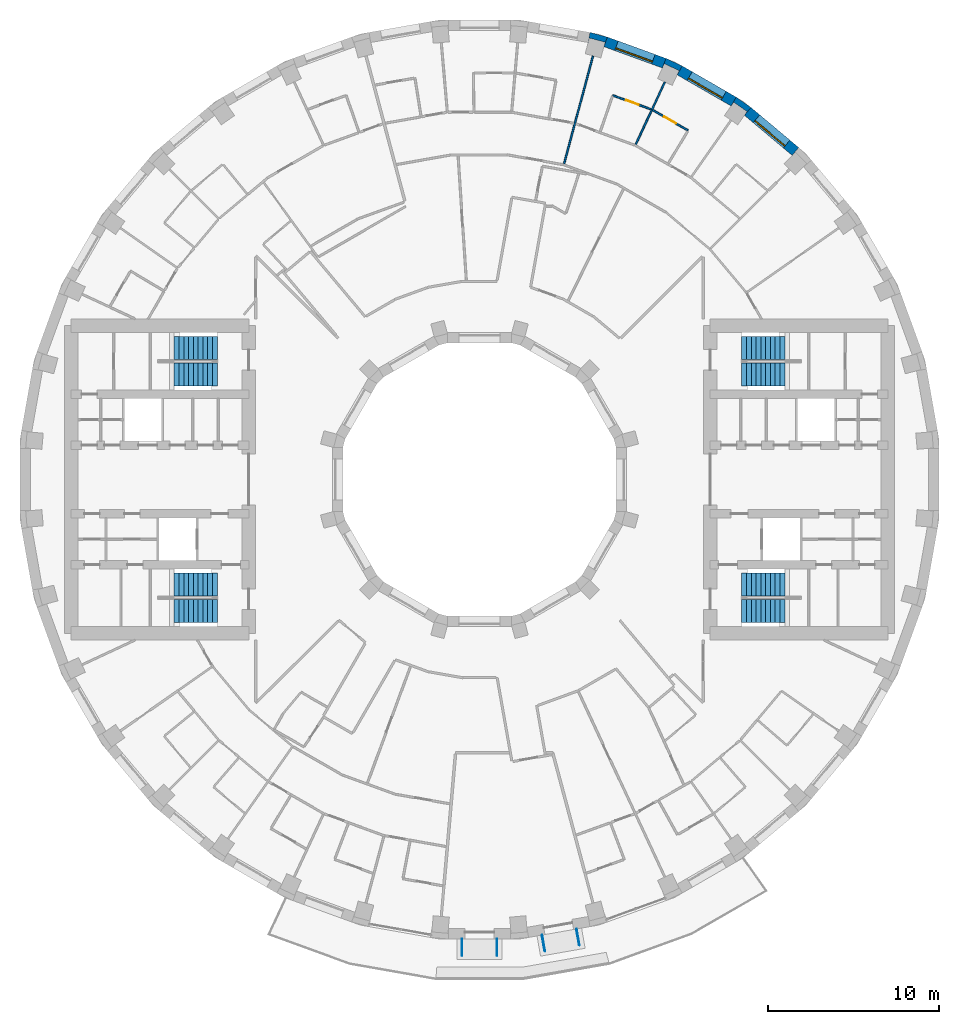
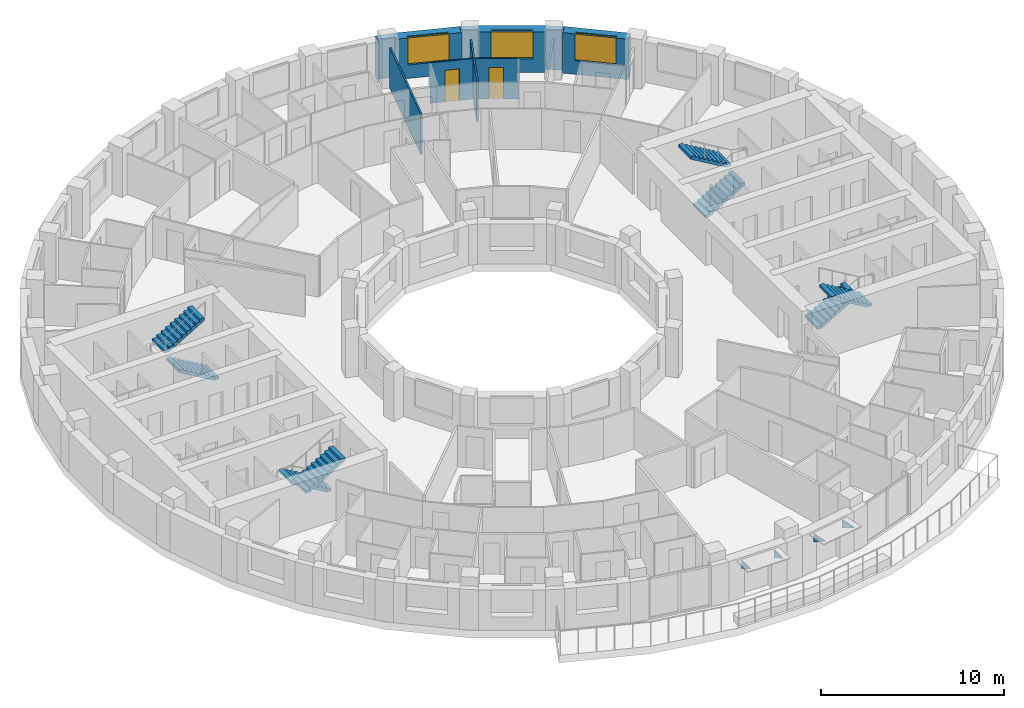
# One storey, part 15 of 16: 10 walls, 8 stair flights, 4 discrete accessories, 3 windows, 2 doors, 5 openings, 4 elements without a shape of their own.
"""IFC4 building model written with IfcOpenShell, lengths in metres."""

from ifc_helpers import new_model, si_unit, direction, frame, frame_2d, origin, place, context, subcontext, project, spatial, polyline, rectangle, outline, extrude, material, layer, layer_set, type_object, element, fill, aggregate, save


model = new_model("IFC4")

# Units and contexts
model_context = context("Model", 3, precision=1e-05, world=origin(), true_north=direction((0.0, 1.0)))
body_context = subcontext(model_context, "Body", "Model", "MODEL_VIEW")
ifc_project = project(units=[si_unit("LENGTHUNIT", "METRE"), si_unit("AREAUNIT", "SQUARE_METRE"), si_unit("VOLUMEUNIT", "CUBIC_METRE"), si_unit("PLANEANGLEUNIT", "RADIAN"), si_unit("MASSUNIT", "GRAM", prefix="KILO")], contexts=[model_context])

# Site, building, storey
site_placement = place(None, origin())
site = spatial("IfcSite", under=ifc_project, at=site_placement, CompositionType="ELEMENT")
building_placement = place(site_placement, origin())
building = spatial("IfcBuilding", under=site, at=building_placement, Name="Saqina Gate Tower", CompositionType="ELEMENT")
storey_placement = place(building_placement, frame((0.0, 0.0, 148.0)))
storey = spatial("IfcBuildingStorey", under=building, at=storey_placement, Name="L42", CompositionType="ELEMENT", Elevation=148.0)

# Walls
ifc_material_1 = material(Name="Brick masonry (buff)", Category="masonry")
wall_type_1 = type_object("IfcWallType", Name="BRICK PIER COPING BUFF", PredefinedType="SOLIDWALL", material=ifc_material_1)
wall_1_placement = place(storey_placement, origin())
element("IfcWall", 1, at=wall_1_placement, inside=storey, type_object=wall_type_1, Name="Pier cap L42 column 6", PredefinedType="SOLIDWALL", context=body_context, shape_type="SweptSolid", body=[
    extrude(outline(polyline([(15.0283203125, 22.3818359375), (14.728271484375, 21.862060546875), (14.88232421875, 22.08251953125), (15.66064453125, 21.53759765625), (15.50634765625, 21.317138671875), (15.89208984375, 21.77685546875), (15.0283203125, 22.3818359375)])), origin(), (0.0, 0.0, 1.0), 2.699951171875),
])
wall_2_placement = place(storey_placement, origin())
element("IfcWall", 2, at=wall_2_placement, inside=storey, type_object=wall_type_1, Name="Pier cap L42 column 7", PredefinedType="SOLIDWALL", context=body_context, shape_type="SweptSolid", body=[
    extrude(outline(polyline([(10.913330078125, 24.6513671875), (10.7080078125, 24.08740234375), (10.82177734375, 24.331298828125), (11.6826171875, 23.9296875), (11.569091796875, 23.68603515625), (11.869140625, 24.205810546875), (10.913330078125, 24.6513671875)])), origin(), (0.0, 0.0, 1.0), 2.699951171875),
])
wall_3_placement = place(storey_placement, origin())
element("IfcWall", 3, at=wall_3_placement, inside=storey, type_object=wall_type_1, Name="Pier cap L42 column 8", PredefinedType="SOLIDWALL", context=body_context, shape_type="SweptSolid", body=[
    extrude(outline(polyline([(7.485595703125, 25.89892578125), (6.466796875, 26.171875), (6.36279296875, 25.5810546875), (6.43212890625, 25.8408203125), (7.349853515625, 25.5947265625), (7.2802734375, 25.335205078125), (7.485595703125, 25.89892578125)])), origin(), (0.0, 0.0, 1.0), 2.699951171875),
])

# Wall, opening, window
ifc_material_2 = material(Name="Brick masonry (buff)", Category="masonry")
ifc_layer_1 = layer(ifc_material_2, 0.60009765625)
ifc_layer_set_1 = layer_set([ifc_layer_1], Name="FW-BRICK-BUFF")
wall_type_2 = type_object("IfcWallType", Name="FW-BRICK-BUFF", PredefinedType="SOLIDWALL", material=ifc_layer_set_1)
wall_4_placement = place(storey_placement, frame((18.49365234375, 19.202392578125, 0.0), z_axis=(0.0, 0.0, 1.0), x_axis=(-0.766055462616, 0.642774476932, 0.0)))
wall_4 = element("IfcWall", 4, at=wall_4_placement, inside=storey, type_object=wall_type_2, Name="Facade wall L42 facet 5", PredefinedType="SOLIDWALL", context=body_context, shape_type="SweptSolid", body=[
    extrude(rectangle(XDim=3.647705078125, YDim=0.60009765625, at=frame_2d((1.82373046875, 0.0))), origin(), (0.0, 0.0, 1.0), 2.699951171875),
])
opening_1_placement = place(wall_4_placement, frame((0.673828125, 0.0, 0.89990234375)))
opening_1 = element("IfcOpeningElement", 5, at=opening_1_placement, cuts=wall_4, Name="Opening G12-W03", PredefinedType="OPENING", context=body_context, shape_type="SweptSolid", body=[
    extrude(rectangle(XDim=2.300048828125, YDim=1.800048828125, at=frame_2d((1.14990234375, 0.89990234375))), frame((0.0, 0.31201171875, 0.0), z_axis=(0.0, -1.0, 0.0), x_axis=(1.0, 0.0, 0.0)), (0.0, 0.0, 1.0), 0.6240234375),
])
ifc_material_3 = material(Name="Aluminium glazing", Category="aluminium")
window_type = type_object("IfcWindowType", Name="WN-B", PartitioningType="SINGLE_PANEL", PredefinedType="WINDOW", material=ifc_material_3)
window_1_placement = place(opening_1_placement, origin())
window_1 = element("IfcWindow", 6, at=window_1_placement, inside=storey, type_object=window_type, Name="Window L42 facet 5", OverallHeight=1.800048828125, OverallWidth=2.300048828125, PartitioningType="SINGLE_PANEL", PredefinedType="WINDOW", context=body_context, shape_type="SweptSolid", body=[
    extrude(rectangle(XDim=2.300048828125, YDim=1.800048828125, at=frame_2d((1.14990234375, 0.89990234375))), frame((0.0, 0.179931640625, 0.0), z_axis=(0.0, -1.0, 0.0), x_axis=(1.0, 0.0, 0.0)), (0.0, 0.0, 1.0), 0.06005859375),
])
fill(opening_1, window_1)

wall_5_placement = place(storey_placement, frame((14.878173828125, 22.1220703125, 0.0), z_axis=(0.0, 0.0, 1.0), x_axis=(-0.866051847062, 0.499954196102, 0.0)))
wall_5 = element("IfcWall", 7, at=wall_5_placement, inside=storey, type_object=wall_type_2, Name="Facade wall L42 facet 6", PredefinedType="SOLIDWALL", context=body_context, shape_type="SweptSolid", body=[
    extrude(rectangle(XDim=3.647705078125, YDim=0.60009765625, at=frame_2d((1.82373046875, 0.0))), origin(), (0.0, 0.0, 1.0), 2.699951171875),
])
opening_2_placement = place(wall_5_placement, frame((0.673828125, 0.0, 0.89990234375)))
opening_2 = element("IfcOpeningElement", 8, at=opening_2_placement, cuts=wall_5, Name="Opening G12-W04", PredefinedType="OPENING", context=body_context, shape_type="SweptSolid", body=[
    extrude(rectangle(XDim=2.300048828125, YDim=1.800048828125, at=frame_2d((1.14990234375, 0.89990234375))), frame((0.0, 0.31201171875, 0.0), z_axis=(0.0, -1.0, 0.0), x_axis=(1.0, 0.0, 0.0)), (0.0, 0.0, 1.0), 0.6240234375),
])
window_2_placement = place(opening_2_placement, origin())
window_2 = element("IfcWindow", 9, at=window_2_placement, inside=storey, type_object=window_type, Name="Window L42 facet 6", OverallHeight=1.800048828125, OverallWidth=2.300048828125, PartitioningType="SINGLE_PANEL", PredefinedType="WINDOW", context=body_context, shape_type="SweptSolid", body=[
    extrude(rectangle(XDim=2.300048828125, YDim=1.800048828125, at=frame_2d((1.14990234375, 0.89990234375))), frame((0.0, 0.179931640625, 0.0), z_axis=(0.0, -1.0, 0.0), x_axis=(1.0, 0.0, 0.0)), (0.0, 0.0, 1.0), 0.06005859375),
])
fill(opening_2, window_2)

wall_6_placement = place(storey_placement, frame((10.810791015625, 24.369384765625, 0.0), z_axis=(0.0, 0.0, 1.0), x_axis=(-0.939703505393, 0.341990236633, 0.0)))
wall_6 = element("IfcWall", 10, at=wall_6_placement, inside=storey, type_object=wall_type_2, Name="Facade wall L42 facet 7", PredefinedType="SOLIDWALL", context=body_context, shape_type="SweptSolid", body=[
    extrude(rectangle(XDim=3.64794921875, YDim=0.60009765625, at=frame_2d((1.823974609375, 0.0))), origin(), (0.0, 0.0, 1.0), 2.699951171875),
])
opening_3_placement = place(wall_6_placement, frame((0.673828125, 0.0, 0.89990234375)))
opening_3 = element("IfcOpeningElement", 11, at=opening_3_placement, cuts=wall_6, Name="Opening G12-W05", PredefinedType="OPENING", context=body_context, shape_type="SweptSolid", body=[
    extrude(rectangle(XDim=2.300048828125, YDim=1.800048828125, at=frame_2d((1.14990234375, 0.89990234375))), frame((0.0, 0.31201171875, 0.0), z_axis=(0.0, -1.0, 0.0), x_axis=(1.0, 0.0, 0.0)), (0.0, 0.0, 1.0), 0.6240234375),
])
window_3_placement = place(opening_3_placement, origin())
window_3 = element("IfcWindow", 12, at=window_3_placement, inside=storey, type_object=window_type, Name="Window L42 facet 7", OverallHeight=1.800048828125, OverallWidth=2.300048828125, PartitioningType="SINGLE_PANEL", PredefinedType="WINDOW", context=body_context, shape_type="SweptSolid", body=[
    extrude(rectangle(XDim=2.300048828125, YDim=1.800048828125, at=frame_2d((1.14990234375, 0.89990234375))), frame((0.0, 0.179931640625, 0.0), z_axis=(0.0, -1.0, 0.0), x_axis=(1.0, 0.0, 0.0)), (0.0, 0.0, 1.0), 0.06005859375),
])
fill(opening_3, window_3)

# Wall, opening, door
ifc_material_4 = material(Name="Gypsum board on steel studs, 100 mm", Category="steel")
ifc_layer_2 = layer(ifc_material_4, 0.10009765625)
ifc_layer_set_2 = layer_set([ifc_layer_2], Name="PARTITION 100")
wall_type_3 = type_object("IfcWallType", Name="PARTITION 100", PredefinedType="PARTITIONING", material=ifc_layer_set_2)
wall_7_placement = place(storey_placement, frame((10.139404296875, 21.625, 0.0), z_axis=(0.0, 0.0, 1.0), x_axis=(0.865989934965, -0.500061428766, 0.0)))
wall_7 = element("IfcWall", 13, at=wall_7_placement, inside=storey, type_object=wall_type_3, Name="PARTITION PW3-44", PredefinedType="PARTITIONING", context=body_context, shape_type="SweptSolid", body=[
    extrude(rectangle(XDim=2.389892578125, YDim=0.10009765625, at=frame_2d((1.19482421875, 0.0))), origin(), (0.0, 0.0, 1.0), 2.699951171875),
])
opening_4_placement = place(wall_7_placement, frame((0.77001953125, 0.0, 0.0)))
opening_4 = element("IfcOpeningElement", 14, at=opening_4_placement, cuts=wall_7, Name="Opening G12-D07", PredefinedType="OPENING", context=body_context, shape_type="SweptSolid", body=[
    extrude(rectangle(XDim=0.800048828125, YDim=2.10009765625, at=frame_2d((0.39990234375, 1.050048828125))), frame((0.0, 0.06201171875, 0.0), z_axis=(0.0, -1.0, 0.0), x_axis=(1.0, 0.0, 0.0)), (0.0, 0.0, 1.0), 0.1240234375),
])
ifc_material_5 = material(Name="Timber door leaf, 800 mm", Category="wood")
door_type = type_object("IfcDoorType", Name="DOOR 800 TIMBER", OperationType="SINGLE_SWING_LEFT", PredefinedType="DOOR", material=ifc_material_5)
door_1_placement = place(opening_4_placement, origin())
door_1 = element("IfcDoor", 15, at=door_1_placement, inside=storey, type_object=door_type, Name="DOOR G12-D07", OperationType="SINGLE_SWING_LEFT", OverallHeight=2.10009765625, OverallWidth=0.800048828125, PredefinedType="DOOR", context=body_context, shape_type="SweptSolid", body=[
    extrude(rectangle(XDim=0.800048828125, YDim=2.10009765625, at=frame_2d((0.39990234375, 1.050048828125))), frame((0.0, 0.02490234375, 0.0), z_axis=(0.0, -1.0, 0.0), x_axis=(1.0, 0.0, 0.0)), (0.0, 0.0, 1.0), 0.050048828125),
])
fill(opening_4, door_1)

wall_8_placement = place(storey_placement, frame((7.802001953125, 22.485107421875, 0.0), z_axis=(0.0, 0.0, 1.0), x_axis=(0.939659214987, -0.342111911063, 0.0)))
wall_8 = element("IfcWall", 16, at=wall_8_placement, inside=storey, type_object=wall_type_3, Name="PARTITION PW3-52", PredefinedType="PARTITIONING", context=body_context, shape_type="SweptSolid", body=[
    extrude(rectangle(XDim=2.391357421875, YDim=0.10009765625, at=frame_2d((1.19580078125, 0.0))), origin(), (0.0, 0.0, 1.0), 2.699951171875),
])
opening_5_placement = place(wall_8_placement, frame((0.820556640625, 0.0, 0.0)))
opening_5 = element("IfcOpeningElement", 17, at=opening_5_placement, cuts=wall_8, Name="Opening G12-D09", PredefinedType="OPENING", context=body_context, shape_type="SweptSolid", body=[
    extrude(rectangle(XDim=0.800048828125, YDim=2.10009765625, at=frame_2d((0.39990234375, 1.050048828125))), frame((0.0, 0.06201171875, 0.0), z_axis=(0.0, -1.0, 0.0), x_axis=(1.0, 0.0, 0.0)), (0.0, 0.0, 1.0), 0.1240234375),
])
door_2_placement = place(opening_5_placement, origin())
door_2 = element("IfcDoor", 18, at=door_2_placement, inside=storey, type_object=door_type, Name="DOOR G12-D09", OperationType="SINGLE_SWING_RIGHT", OverallHeight=2.10009765625, OverallWidth=0.800048828125, PredefinedType="DOOR", context=body_context, shape_type="SweptSolid", body=[
    extrude(rectangle(XDim=0.800048828125, YDim=2.10009765625, at=frame_2d((0.39990234375, 1.050048828125))), frame((0.0, 0.02490234375, 0.0), z_axis=(0.0, -1.0, 0.0), x_axis=(1.0, 0.0, 0.0)), (0.0, 0.0, 1.0), 0.050048828125),
])
fill(opening_5, door_2)

# Walls
wall_9_placement = place(storey_placement, frame((9.14111328125, 19.603271484375, 0.0), z_axis=(0.0, 0.0, 1.0), x_axis=(0.42279934512, 0.906223324444, 0.0)))
element("IfcWall", 19, at=wall_9_placement, inside=storey, type_object=wall_type_3, Name="PARTITION PW3-107", PredefinedType="PARTITIONING", context=body_context, shape_type="SweptSolid", body=[
    extrude(rectangle(XDim=4.03515625, YDim=0.10009765625, at=frame_2d((2.017578125, 0.0))), origin(), (0.0, 0.0, 1.0), 2.699951171875),
])
wall_10_placement = place(storey_placement, frame((4.94873046875, 18.46923828125, 0.0), z_axis=(0.0, 0.0, 1.0), x_axis=(0.258793270627, 0.96593273217, 0.0)))
element("IfcWall", 20, at=wall_10_placement, inside=storey, type_object=wall_type_3, Name="PARTITION PW3-113", PredefinedType="PARTITIONING", context=body_context, shape_type="SweptSolid", body=[
    extrude(rectangle(XDim=6.544189453125, YDim=0.10009765625, at=frame_2d((3.27197265625, 0.0))), origin(), (0.0, 0.0, 1.0), 2.699951171875),
])

# Stair, stair flights
ifc_material_6 = material(Name="Concrete C40/50", Category="concrete")
stair_type = type_object("IfcStairType", Name="EXIT STAIR", PredefinedType="HALF_TURN_STAIR", material=ifc_material_6)
stair_1_placement = place(storey_placement, origin())
stair_1 = element("IfcStair", 21, at=stair_1_placement, inside=storey, type_object=stair_type, Name="EXIT STAIR 1", PredefinedType="HALF_TURN_STAIR")
ifc_material_7 = material(Name="Concrete C40/50", Category="concrete")
stair_flight_type = type_object("IfcStairFlightType", Name="EXIT STAIR FLIGHT", PredefinedType="STRAIGHT", material=ifc_material_7)
stair_flight_1_placement = place(storey_placement, frame((15.35009765625, 6.1416015625, 0.0), z_axis=(0.0, 0.0, 1.0), x_axis=(1.0, 0.0, 0.0)))
stair_flight_1 = element("IfcStairFlight", 22, at=stair_flight_1_placement, type_object=stair_flight_type, Name="EXIT STAIR 1 FLIGHT 1", NumberOfRisers=10, NumberOfTreads=9, PredefinedType="STRAIGHT", RiserHeight=0.165, TreadLength=0.28, context=body_context, shape_type="SweptSolid", body=[
    extrude(outline(polyline([(0.0, 0.0), (0.0, 0.1650390625), (0.280029296875, 0.1650390625), (0.280029296875, 0.330078125), (0.56005859375, 0.330078125), (0.56005859375, 0.4951171875), (0.840087890625, 0.4951171875), (0.840087890625, 0.659912109375), (1.1201171875, 0.659912109375), (1.1201171875, 0.824951171875), (1.39990234375, 0.824951171875), (1.39990234375, 0.989990234375), (1.679931640625, 0.989990234375), (1.679931640625, 1.155029296875), (1.9599609375, 1.155029296875), (1.9599609375, 1.320068359375), (2.239990234375, 1.320068359375), (2.239990234375, 1.485107421875), (2.52001953125, 1.485107421875), (2.52001953125, 1.64990234375), (2.52001953125, 1.31103515625), (0.295166015625, 0.0), (0.0, 0.0)])), frame((0.0, 0.675048828125, 0.0), z_axis=(0.0, -1.0, 0.0), x_axis=(1.0, 0.0, 0.0)), (0.0, 0.0, 1.0), 1.35009765625),
])
stair_flight_2_placement = place(storey_placement, frame((17.8701171875, 7.708251953125, 1.64990234375), z_axis=(0.0, 0.0, 1.0), x_axis=(-1.0, 0.0, 0.0)))
stair_flight_2 = element("IfcStairFlight", 23, at=stair_flight_2_placement, type_object=stair_flight_type, Name="EXIT STAIR 1 FLIGHT 2", NumberOfRisers=10, NumberOfTreads=9, PredefinedType="STRAIGHT", RiserHeight=0.165, TreadLength=0.28, context=body_context, shape_type="SweptSolid", body=[
    extrude(outline(polyline([(0.0, 0.0), (0.0, 0.1650390625), (0.280029296875, 0.1650390625), (0.280029296875, 0.330078125), (0.56005859375, 0.330078125), (0.56005859375, 0.4951171875), (0.840087890625, 0.4951171875), (0.840087890625, 0.659912109375), (1.1201171875, 0.659912109375), (1.1201171875, 0.824951171875), (1.39990234375, 0.824951171875), (1.39990234375, 0.989990234375), (1.679931640625, 0.989990234375), (1.679931640625, 1.155029296875), (1.9599609375, 1.155029296875), (1.9599609375, 1.320068359375), (2.239990234375, 1.320068359375), (2.239990234375, 1.485107421875), (2.52001953125, 1.485107421875), (2.52001953125, 1.64990234375), (2.52001953125, 1.31103515625), (0.295166015625, 0.0), (0.0, 0.0)])), frame((0.0, 0.675048828125, 0.0), z_axis=(0.0, -1.0, 0.0), x_axis=(1.0, 0.0, 0.0)), (0.0, 0.0, 1.0), 1.35009765625),
])
aggregate(stair_1, [stair_flight_1, stair_flight_2])

stair_2_placement = place(storey_placement, origin())
stair_2 = element("IfcStair", 24, at=stair_2_placement, inside=storey, type_object=stair_type, Name="EXIT STAIR 2", PredefinedType="HALF_TURN_STAIR")
stair_flight_3_placement = place(storey_placement, frame((15.35009765625, -6.1416015625, 0.0), z_axis=(0.0, 0.0, 1.0), x_axis=(1.0, 0.0, 0.0)))
stair_flight_3 = element("IfcStairFlight", 25, at=stair_flight_3_placement, type_object=stair_flight_type, Name="EXIT STAIR 2 FLIGHT 1", NumberOfRisers=10, NumberOfTreads=9, PredefinedType="STRAIGHT", RiserHeight=0.165, TreadLength=0.28, context=body_context, shape_type="SweptSolid", body=[
    extrude(outline(polyline([(0.0, 0.0), (0.0, 0.1650390625), (0.280029296875, 0.1650390625), (0.280029296875, 0.330078125), (0.56005859375, 0.330078125), (0.56005859375, 0.4951171875), (0.840087890625, 0.4951171875), (0.840087890625, 0.659912109375), (1.1201171875, 0.659912109375), (1.1201171875, 0.824951171875), (1.39990234375, 0.824951171875), (1.39990234375, 0.989990234375), (1.679931640625, 0.989990234375), (1.679931640625, 1.155029296875), (1.9599609375, 1.155029296875), (1.9599609375, 1.320068359375), (2.239990234375, 1.320068359375), (2.239990234375, 1.485107421875), (2.52001953125, 1.485107421875), (2.52001953125, 1.64990234375), (2.52001953125, 1.31103515625), (0.295166015625, 0.0), (0.0, 0.0)])), frame((0.0, 0.675048828125, 0.0), z_axis=(0.0, -1.0, 0.0), x_axis=(1.0, 0.0, 0.0)), (0.0, 0.0, 1.0), 1.35009765625),
])
stair_flight_4_placement = place(storey_placement, frame((17.8701171875, -7.708251953125, 1.64990234375), z_axis=(0.0, 0.0, 1.0), x_axis=(-1.0, 0.0, 0.0)))
stair_flight_4 = element("IfcStairFlight", 26, at=stair_flight_4_placement, type_object=stair_flight_type, Name="EXIT STAIR 2 FLIGHT 2", NumberOfRisers=10, NumberOfTreads=9, PredefinedType="STRAIGHT", RiserHeight=0.165, TreadLength=0.28, context=body_context, shape_type="SweptSolid", body=[
    extrude(outline(polyline([(0.0, 0.0), (0.0, 0.1650390625), (0.280029296875, 0.1650390625), (0.280029296875, 0.330078125), (0.56005859375, 0.330078125), (0.56005859375, 0.4951171875), (0.840087890625, 0.4951171875), (0.840087890625, 0.659912109375), (1.1201171875, 0.659912109375), (1.1201171875, 0.824951171875), (1.39990234375, 0.824951171875), (1.39990234375, 0.989990234375), (1.679931640625, 0.989990234375), (1.679931640625, 1.155029296875), (1.9599609375, 1.155029296875), (1.9599609375, 1.320068359375), (2.239990234375, 1.320068359375), (2.239990234375, 1.485107421875), (2.52001953125, 1.485107421875), (2.52001953125, 1.64990234375), (2.52001953125, 1.31103515625), (0.295166015625, 0.0), (0.0, 0.0)])), frame((0.0, 0.675048828125, 0.0), z_axis=(0.0, -1.0, 0.0), x_axis=(1.0, 0.0, 0.0)), (0.0, 0.0, 1.0), 1.35009765625),
])
aggregate(stair_2, [stair_flight_3, stair_flight_4])

stair_3_placement = place(storey_placement, origin())
stair_3 = element("IfcStair", 27, at=stair_3_placement, inside=storey, type_object=stair_type, Name="EXIT STAIR 3", PredefinedType="HALF_TURN_STAIR")
stair_flight_5_placement = place(storey_placement, frame((-15.35009765625, 6.1416015625, 0.0), z_axis=(0.0, 0.0, 1.0), x_axis=(-1.0, 0.0, 0.0)))
stair_flight_5 = element("IfcStairFlight", 28, at=stair_flight_5_placement, type_object=stair_flight_type, Name="EXIT STAIR 3 FLIGHT 1", NumberOfRisers=10, NumberOfTreads=9, PredefinedType="STRAIGHT", RiserHeight=0.165, TreadLength=0.28, context=body_context, shape_type="SweptSolid", body=[
    extrude(outline(polyline([(0.0, 0.0), (0.0, 0.1650390625), (0.280029296875, 0.1650390625), (0.280029296875, 0.330078125), (0.56005859375, 0.330078125), (0.56005859375, 0.4951171875), (0.840087890625, 0.4951171875), (0.840087890625, 0.659912109375), (1.1201171875, 0.659912109375), (1.1201171875, 0.824951171875), (1.39990234375, 0.824951171875), (1.39990234375, 0.989990234375), (1.679931640625, 0.989990234375), (1.679931640625, 1.155029296875), (1.9599609375, 1.155029296875), (1.9599609375, 1.320068359375), (2.239990234375, 1.320068359375), (2.239990234375, 1.485107421875), (2.52001953125, 1.485107421875), (2.52001953125, 1.64990234375), (2.52001953125, 1.31103515625), (0.295166015625, 0.0), (0.0, 0.0)])), frame((0.0, 0.675048828125, 0.0), z_axis=(0.0, -1.0, 0.0), x_axis=(1.0, 0.0, 0.0)), (0.0, 0.0, 1.0), 1.35009765625),
])
stair_flight_6_placement = place(storey_placement, frame((-17.8701171875, 7.708251953125, 1.64990234375), z_axis=(0.0, 0.0, 1.0), x_axis=(1.0, 0.0, 0.0)))
stair_flight_6 = element("IfcStairFlight", 29, at=stair_flight_6_placement, type_object=stair_flight_type, Name="EXIT STAIR 3 FLIGHT 2", NumberOfRisers=10, NumberOfTreads=9, PredefinedType="STRAIGHT", RiserHeight=0.165, TreadLength=0.28, context=body_context, shape_type="SweptSolid", body=[
    extrude(outline(polyline([(0.0, 0.0), (0.0, 0.1650390625), (0.280029296875, 0.1650390625), (0.280029296875, 0.330078125), (0.56005859375, 0.330078125), (0.56005859375, 0.4951171875), (0.840087890625, 0.4951171875), (0.840087890625, 0.659912109375), (1.1201171875, 0.659912109375), (1.1201171875, 0.824951171875), (1.39990234375, 0.824951171875), (1.39990234375, 0.989990234375), (1.679931640625, 0.989990234375), (1.679931640625, 1.155029296875), (1.9599609375, 1.155029296875), (1.9599609375, 1.320068359375), (2.239990234375, 1.320068359375), (2.239990234375, 1.485107421875), (2.52001953125, 1.485107421875), (2.52001953125, 1.64990234375), (2.52001953125, 1.31103515625), (0.295166015625, 0.0), (0.0, 0.0)])), frame((0.0, 0.675048828125, 0.0), z_axis=(0.0, -1.0, 0.0), x_axis=(1.0, 0.0, 0.0)), (0.0, 0.0, 1.0), 1.35009765625),
])
aggregate(stair_3, [stair_flight_5, stair_flight_6])

stair_4_placement = place(storey_placement, origin())
stair_4 = element("IfcStair", 30, at=stair_4_placement, inside=storey, type_object=stair_type, Name="EXIT STAIR 4", PredefinedType="HALF_TURN_STAIR")
stair_flight_7_placement = place(storey_placement, frame((-15.35009765625, -6.1416015625, 0.0), z_axis=(0.0, 0.0, 1.0), x_axis=(-1.0, 0.0, 0.0)))
stair_flight_7 = element("IfcStairFlight", 31, at=stair_flight_7_placement, type_object=stair_flight_type, Name="EXIT STAIR 4 FLIGHT 1", NumberOfRisers=10, NumberOfTreads=9, PredefinedType="STRAIGHT", RiserHeight=0.165, TreadLength=0.28, context=body_context, shape_type="SweptSolid", body=[
    extrude(outline(polyline([(0.0, 0.0), (0.0, 0.1650390625), (0.280029296875, 0.1650390625), (0.280029296875, 0.330078125), (0.56005859375, 0.330078125), (0.56005859375, 0.4951171875), (0.840087890625, 0.4951171875), (0.840087890625, 0.659912109375), (1.1201171875, 0.659912109375), (1.1201171875, 0.824951171875), (1.39990234375, 0.824951171875), (1.39990234375, 0.989990234375), (1.679931640625, 0.989990234375), (1.679931640625, 1.155029296875), (1.9599609375, 1.155029296875), (1.9599609375, 1.320068359375), (2.239990234375, 1.320068359375), (2.239990234375, 1.485107421875), (2.52001953125, 1.485107421875), (2.52001953125, 1.64990234375), (2.52001953125, 1.31103515625), (0.295166015625, 0.0), (0.0, 0.0)])), frame((0.0, 0.675048828125, 0.0), z_axis=(0.0, -1.0, 0.0), x_axis=(1.0, 0.0, 0.0)), (0.0, 0.0, 1.0), 1.35009765625),
])
stair_flight_8_placement = place(storey_placement, frame((-17.8701171875, -7.708251953125, 1.64990234375), z_axis=(0.0, 0.0, 1.0), x_axis=(1.0, 0.0, 0.0)))
stair_flight_8 = element("IfcStairFlight", 32, at=stair_flight_8_placement, type_object=stair_flight_type, Name="EXIT STAIR 4 FLIGHT 2", NumberOfRisers=10, NumberOfTreads=9, PredefinedType="STRAIGHT", RiserHeight=0.165, TreadLength=0.28, context=body_context, shape_type="SweptSolid", body=[
    extrude(outline(polyline([(0.0, 0.0), (0.0, 0.1650390625), (0.280029296875, 0.1650390625), (0.280029296875, 0.330078125), (0.56005859375, 0.330078125), (0.56005859375, 0.4951171875), (0.840087890625, 0.4951171875), (0.840087890625, 0.659912109375), (1.1201171875, 0.659912109375), (1.1201171875, 0.824951171875), (1.39990234375, 0.824951171875), (1.39990234375, 0.989990234375), (1.679931640625, 0.989990234375), (1.679931640625, 1.155029296875), (1.9599609375, 1.155029296875), (1.9599609375, 1.320068359375), (2.239990234375, 1.320068359375), (2.239990234375, 1.485107421875), (2.52001953125, 1.485107421875), (2.52001953125, 1.64990234375), (2.52001953125, 1.31103515625), (0.295166015625, 0.0), (0.0, 0.0)])), frame((0.0, 0.675048828125, 0.0), z_axis=(0.0, -1.0, 0.0), x_axis=(1.0, 0.0, 0.0)), (0.0, 0.0, 1.0), 1.35009765625),
])
aggregate(stair_4, [stair_flight_7, stair_flight_8])

# Discrete accessories
ifc_material_8 = material(Name="Galvanised steel", Category="steel")
ifc_layer_3 = layer(ifc_material_8, 0.050048828125)
ifc_layer_set_3 = layer_set([ifc_layer_3], Name="BR-AWNING")
discrete_accessory_type = type_object("IfcDiscreteAccessoryType", Name="BR-AWNING", PredefinedType="BRACKET", material=ifc_layer_set_3)
for number, where, z_axis, x_axis, name in (
    (33, (-0.998779296875, -26.897216796875, 1.97509765625), (1.0, 0.0, 0.0), (0.0, 0.0, 1.0), "Awning bracket L42 facet 27"),
    (34, (1.048828125, -26.897216796875, 1.97509765625), (1.0, 0.0, 0.0), (0.0, 0.0, 1.0), "Awning bracket L42 facet 27"),
):
    element("IfcDiscreteAccessory", number, at=place(storey_placement, frame(where, z_axis=z_axis, x_axis=x_axis)), inside=storey, type_object=discrete_accessory_type, Name=name, PredefinedType="BRACKET", context=body_context, shape_type="SweptSolid", body=[
        extrude(outline(polyline([(0.0, 0.0), (0.5498046875, 0.0), (0.5498046875, 1.0), (0.0, 0.0)])), origin(), (0.0, 0.0, -1.0), 0.050048828125),
    ])
for number, where, z_axis, x_axis, name in (
    (35, (3.68701171875, -26.662109375, 1.97509765625), (0.984820401928, 0.173576426815, 0.0), (0.0, 0.0, 1.0), "Awning bracket L42 facet 28"),
    (36, (5.70361328125, -26.306396484375, 1.97509765625), (0.984820401928, 0.173576426815, 0.0), (0.0, 0.0, 1.0), "Awning bracket L42 facet 28"),
):
    element("IfcDiscreteAccessory", number, at=place(storey_placement, frame(where, z_axis=z_axis, x_axis=x_axis)), inside=storey, type_object=discrete_accessory_type, Name=name, PredefinedType="BRACKET", context=body_context, shape_type="SweptSolid", body=[
        extrude(outline(polyline([(0.0, 0.0), (0.5498046875, 0.0), (0.5498046875, 1.000043540245132), (0.0, 0.0)])), origin(), (0.0, 0.0, -1.0), 0.050048828125),
    ])

save(model, "model.ifc")
